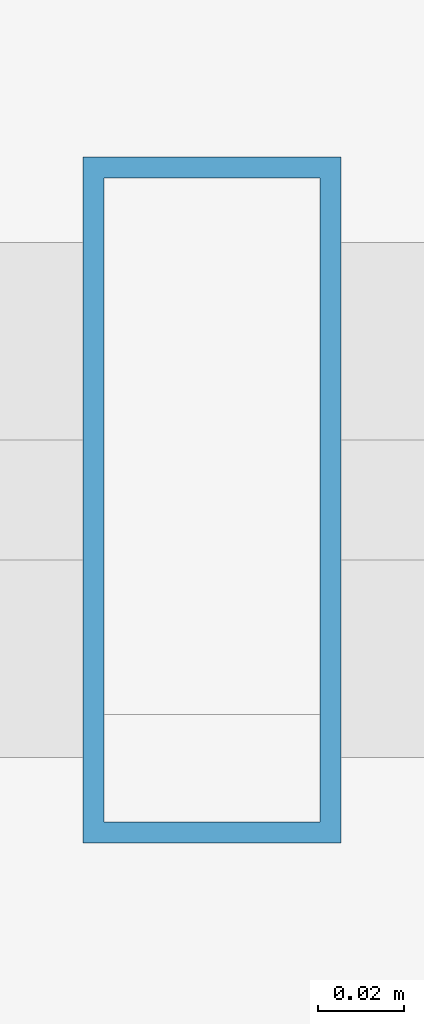
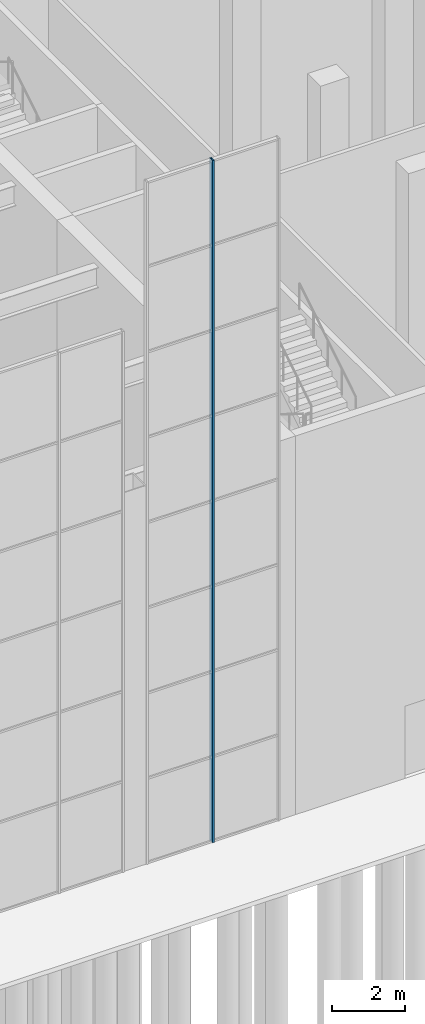
# One storey, part 33 of 58: 1 member, 1 element without a shape of its own.
"""IFC4 building model written with IfcOpenShell, lengths in metres."""

from ifc_helpers import new_model, si_unit, direction, frame, origin, origin_2d, place, context, subcontext, project, spatial, hollow_rectangle, extrude, material, layer, layer_set, material_profile, profile_set, type_object, element, aggregate, save


model = new_model("IFC4")

# Units and contexts
model_context = context("Model", 3, precision=1e-05, world=origin(), true_north=direction((0.0, 1.0)))
body_context = subcontext(model_context, "Body", "Model", "MODEL_VIEW")
ifc_project = project(units=[si_unit("LENGTHUNIT", "METRE"), si_unit("AREAUNIT", "SQUARE_METRE"), si_unit("VOLUMEUNIT", "CUBIC_METRE"), si_unit("PLANEANGLEUNIT", "RADIAN"), si_unit("MASSUNIT", "GRAM", prefix="KILO")], contexts=[model_context])

# Site, building, storey
site_placement = place(None, origin())
site = spatial("IfcSite", under=ifc_project, at=site_placement, CompositionType="ELEMENT")
building_placement = place(site_placement, origin())
building = spatial("IfcBuilding", under=site, at=building_placement, Name="Baori Bourse Tower", CompositionType="ELEMENT")
storey_placement = place(building_placement, origin())
storey = spatial("IfcBuildingStorey", under=building, at=storey_placement, Name="L00", CompositionType="ELEMENT", Elevation=0.0)

# Curtain wall, member
ifc_material_1 = material(Name="Pale anodised aluminium", Category="aluminium")
ifc_layer = layer(ifc_material_1, 0.10009765625)
ifc_layer_set = layer_set([ifc_layer], Name="Wing curtain wall")
curtain_wall_type = type_object("IfcCurtainWallType", Name="Wing curtain wall", PredefinedType="NOTDEFINED", material=ifc_layer_set)
curtain_wall_placement = place(storey_placement, origin())
curtain_wall = element("IfcCurtainWall", 1, at=curtain_wall_placement, inside=storey, type_object=curtain_wall_type, Name="wing/L00/hallcw/008", PredefinedType="NOTDEFINED")
ifc_material_2 = material(Name="Pale anodised aluminium", Category="aluminium")
ifc_material_profile = material_profile(ifc_material_2, hollow_rectangle(XDim=0.159912109375, YDim=0.06005859375, WallThickness=0.0048828125, at=origin_2d()), Name="Mullion 160x60x5")
ifc_profile_set = profile_set([ifc_material_profile], Name="Pale anodised aluminium")
member_type = type_object("IfcMemberType", Name="Wing mullion 60x160", PredefinedType="MULLION", material=ifc_profile_set)
member_placement = place(storey_placement, frame((55.25, -25.14990234375, 0.0), z_axis=(0.0, 0.0, 1.0), x_axis=(0.0, 1.0, 0.0)))
member = element("IfcMember", 2, at=member_placement, type_object=member_type, Name="X12 mullion 2", PredefinedType="MULLION", context=body_context, shape_type="SweptSolid", body=[
    extrude(hollow_rectangle(XDim=0.159912109375, YDim=0.06005859375, WallThickness=0.0048828125, at=origin_2d()), origin(), (0.0, 0.0, 1.0), 22.699951171875),
])
aggregate(curtain_wall, [member])

save(model, "model.ifc")
